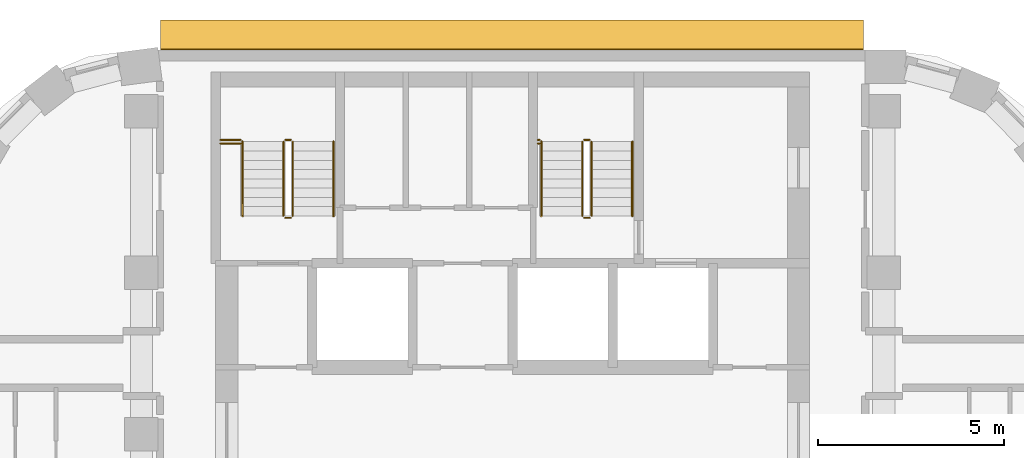
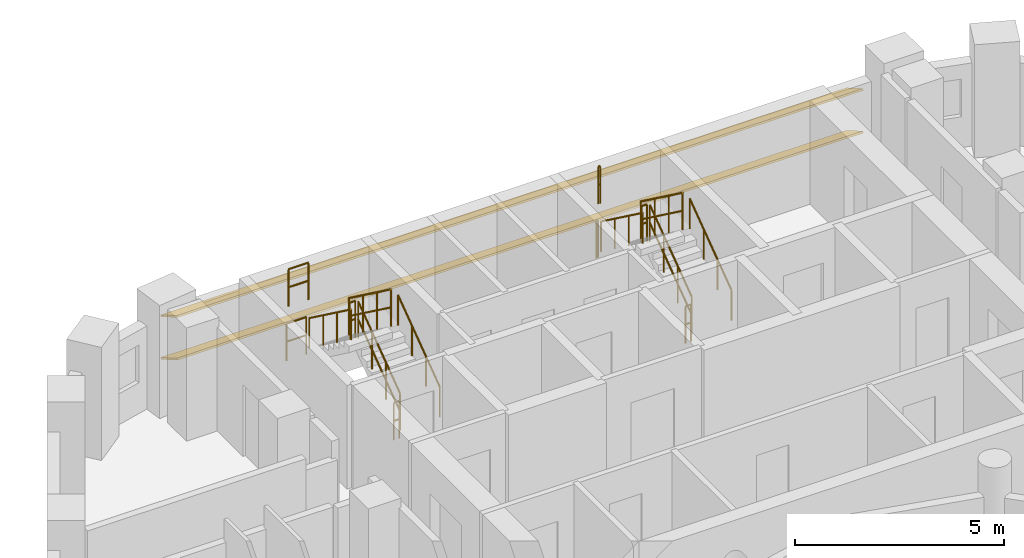
# One storey, part 15 of 16: 16 railings, 2 shading devices.
"""IFC4 building model written with IfcOpenShell, lengths in metres."""

from ifc_helpers import new_model, si_unit, direction, frame, origin, origin_2d, place, context, subcontext, project, spatial, rectangle, circle, extrude, material, material_profile, profile_set, type_object, element, save


model = new_model("IFC4")

# Units and contexts
model_context = context("Model", 3, precision=1e-05, world=origin(), true_north=direction((0.0, 1.0)))
body_context = subcontext(model_context, "Body", "Model", "MODEL_VIEW")
ifc_project = project(units=[si_unit("LENGTHUNIT", "METRE"), si_unit("AREAUNIT", "SQUARE_METRE"), si_unit("VOLUMEUNIT", "CUBIC_METRE"), si_unit("PLANEANGLEUNIT", "RADIAN"), si_unit("MASSUNIT", "GRAM", prefix="KILO")], contexts=[model_context])

# Site, building, storey
site_placement = place(None, origin())
site = spatial("IfcSite", under=ifc_project, at=site_placement, CompositionType="ELEMENT")
building_placement = place(site_placement, origin())
building = spatial("IfcBuilding", under=site, at=building_placement, Name="Nakaniwa Court", CompositionType="ELEMENT")
storey_placement = place(building_placement, frame((0.0, 0.0, 226.199951171875)))
storey = spatial("IfcBuildingStorey", under=building, at=storey_placement, Name="L58", CompositionType="ELEMENT", Elevation=226.199951171875)

# Shading devices
ifc_material_1 = material(Name="Perforated charcoal ceramic louvre blade")
ifc_material_profile = material_profile(ifc_material_1, rectangle(XDim=0.89990234375, YDim=0.050048828125, at=origin_2d()), Name="Perforated ceramic louvre blade")
ifc_profile_set = profile_set([ifc_material_profile], Name="Perforated charcoal ceramic louvre blade")
shading_device_type = type_object("IfcShadingDeviceType", Name="Perforated ceramic louvre blade", PredefinedType="JALOUSIE", material=ifc_profile_set)
for number, where, z_axis, x_axis, name in (
    (1, (89.44921875, 103.05224609375, 0.550048828125), (-1.0, 0.0, 0.0), (0.0, -0.866025403784, 0.5), "L58 perforated ceramic louvre blade w08 1"),
    (2, (89.44921875, 103.05224609375, 1.79345703125), (-1.0, 0.0, 0.0), (0.0, -0.866025403784, 0.5), "L58 perforated ceramic louvre blade w08 2"),
):
    element("IfcShadingDevice", number, at=place(storey_placement, frame(where, z_axis=z_axis, x_axis=x_axis)), inside=storey, type_object=shading_device_type, Name=name, PredefinedType="JALOUSIE", context=body_context, shape_type="SweptSolid", body=[
        extrude(rectangle(XDim=0.89990234375, YDim=0.050048828125, at=origin_2d()), origin(), (0.0, 0.0, 1.0), 18.933349609375),
    ])

# Railings
ifc_material_2 = material(Name="Black powder coated steel guard", Category="steel")
railing_type_1 = type_object("IfcRailingType", Name="Stair guard 1100", PredefinedType="GUARDRAIL", material=ifc_material_2)
railing_1_placement = place(storey_placement, frame((74.074951171875, 98.175048828125, 0.183349609375)))
element("IfcRailing", 3, at=railing_1_placement, inside=storey, type_object=railing_type_1, Name="L58 ST1 stair guard 1", PredefinedType="GUARDRAIL", context=body_context, shape_type="SweptSolid", body=[
    extrude(circle(Radius=0.02392578125, at=origin_2d()), frame((0.0, 0.0, 1.076171875), z_axis=(0.0, 0.806379959628, 0.591397802423), x_axis=(-1.0, 0.0, 0.0)), (0.0, 0.0, 1.0), 2.480224609375),
    extrude(circle(Radius=0.02392578125, at=origin_2d()), frame((0.0, 0.0, 0.550048828125), z_axis=(0.0, 0.806379959628, 0.591397802423), x_axis=(-1.0, 0.0, 0.0)), (0.0, 0.0, 1.0), 2.480224609375),
    extrude(circle(Radius=0.02099609375, at=origin_2d()), origin(), (0.0, 0.0, 1.0), 1.052001953125),
    extrude(circle(Radius=0.02099609375, at=origin_2d()), frame((0.0, 0.666748046875, 0.489013671875)), (0.0, 0.0, 1.0), 1.052001953125),
    extrude(circle(Radius=0.02099609375, at=origin_2d()), frame((0.0, 1.333251953125, 0.977783203125)), (0.0, 0.0, 1.0), 1.052001953125),
    extrude(circle(Radius=0.02099609375, at=origin_2d()), frame((0.0, 2.0, 1.466796875)), (0.0, 0.0, 1.0), 1.052001953125),
])
railing_2_placement = place(storey_placement, frame((74.02490234375, 100.22509765625, 1.650146484375)))
element("IfcRailing", 4, at=railing_2_placement, inside=storey, type_object=railing_type_1, Name="L58 ST1 stair guard 2", PredefinedType="GUARDRAIL", context=body_context, shape_type="SweptSolid", body=[
    extrude(circle(Radius=0.02392578125, at=origin_2d()), frame((0.0, 0.0, 1.076171875), z_axis=(-1.0, 0.0, 0.0), x_axis=(0.0, -1.0, 0.0)), (0.0, 0.0, 1.0), 0.14990234375),
    extrude(circle(Radius=0.02392578125, at=origin_2d()), frame((0.0, 0.0, 0.550048828125), z_axis=(-1.0, 0.0, 0.0), x_axis=(0.0, -1.0, 0.0)), (0.0, 0.0, 1.0), 0.14990234375),
    extrude(circle(Radius=0.02099609375, at=origin_2d()), origin(), (0.0, 0.0, 1.0), 1.052001953125),
    extrude(circle(Radius=0.02099609375, at=origin_2d()), frame((-0.14990234375, 0.0, 0.0)), (0.0, 0.0, 1.0), 1.052001953125),
])
railing_3_placement = place(storey_placement, frame((73.824951171875, 100.175048828125, 1.83349609375)))
element("IfcRailing", 5, at=railing_3_placement, inside=storey, type_object=railing_type_1, Name="L58 ST1 stair guard 3", PredefinedType="GUARDRAIL", context=body_context, shape_type="SweptSolid", body=[
    extrude(circle(Radius=0.02392578125, at=origin_2d()), frame((0.0, 0.0, 1.076171875), z_axis=(0.0, -0.806426902644, 0.591333789573), x_axis=(1.0, 0.0, 0.0)), (0.0, 0.0, 1.0), 2.47998046875),
    extrude(circle(Radius=0.02392578125, at=origin_2d()), frame((0.0, 0.0, 0.550048828125), z_axis=(0.0, -0.806426902644, 0.591333789573), x_axis=(1.0, 0.0, 0.0)), (0.0, 0.0, 1.0), 2.47998046875),
    extrude(circle(Radius=0.02099609375, at=origin_2d()), origin(), (0.0, 0.0, 1.0), 1.052001953125),
    extrude(circle(Radius=0.02099609375, at=origin_2d()), frame((0.0, -0.666748046875, 0.48876953125)), (0.0, 0.0, 1.0), 1.052001953125),
    extrude(circle(Radius=0.02099609375, at=origin_2d()), frame((0.0, -1.333251953125, 0.977783203125)), (0.0, 0.0, 1.0), 1.052001953125),
    extrude(circle(Radius=0.02099609375, at=origin_2d()), frame((0.0, -2.0, 1.466552734375)), (0.0, 0.0, 1.0), 1.052001953125),
])
railing_4_placement = place(storey_placement, frame((74.02490234375, 98.125, 0.0)))
element("IfcRailing", 6, at=railing_4_placement, inside=storey, type_object=railing_type_1, Name="L58 ST1 stair guard 4", PredefinedType="GUARDRAIL", context=body_context, shape_type="SweptSolid", body=[
    extrude(circle(Radius=0.02392578125, at=origin_2d()), frame((0.0, 0.0, 1.076171875), z_axis=(-1.0, 0.0, 0.0), x_axis=(0.0, -1.0, 0.0)), (0.0, 0.0, 1.0), 0.14990234375),
    extrude(circle(Radius=0.02392578125, at=origin_2d()), frame((0.0, 0.0, 0.550048828125), z_axis=(-1.0, 0.0, 0.0), x_axis=(0.0, -1.0, 0.0)), (0.0, 0.0, 1.0), 0.14990234375),
    extrude(circle(Radius=0.02099609375, at=origin_2d()), origin(), (0.0, 0.0, 1.0), 1.052001953125),
    extrude(circle(Radius=0.02099609375, at=origin_2d()), frame((-0.14990234375, 0.0, 0.0)), (0.0, 0.0, 1.0), 1.052001953125),
])
for number, where, name in (
    (7, (72.125, 100.22509765625, 1.650146484375), "L58 ST1 landing side guard 1W"),
    (8, (72.125, 100.125, 3.300048828125), "L58 ST1 floor edge guard 1W"),
):
    element("IfcRailing", number, at=place(storey_placement, frame(where)), inside=storey, type_object=railing_type_1, Name=name, PredefinedType="GUARDRAIL", context=body_context, shape_type="SweptSolid", body=[
        extrude(circle(Radius=0.02392578125, at=origin_2d()), frame((0.0, 0.0, 1.076171875), z_axis=(1.0, 0.0, 0.0), x_axis=(0.0, 1.0, 0.0)), (0.0, 0.0, 1.0), 0.550048828125),
        extrude(circle(Radius=0.02392578125, at=origin_2d()), frame((0.0, 0.0, 0.550048828125), z_axis=(1.0, 0.0, 0.0), x_axis=(0.0, 1.0, 0.0)), (0.0, 0.0, 1.0), 0.550048828125),
        extrude(circle(Radius=0.02099609375, at=origin_2d()), origin(), (0.0, 0.0, 1.0), 1.052001953125),
        extrude(circle(Radius=0.02099609375, at=origin_2d()), frame((0.550048828125, 0.0, 0.0)), (0.0, 0.0, 1.0), 1.052001953125),
    ])
railing_5_placement = place(storey_placement, frame((82.125, 98.175048828125, 0.183349609375)))
element("IfcRailing", 9, at=railing_5_placement, inside=storey, type_object=railing_type_1, Name="L58 ST2 stair guard 1", PredefinedType="GUARDRAIL", context=body_context, shape_type="SweptSolid", body=[
    extrude(circle(Radius=0.02392578125, at=origin_2d()), frame((0.0, 0.0, 1.076171875), z_axis=(0.0, 0.806379959628, 0.591397802423), x_axis=(-1.0, 0.0, 0.0)), (0.0, 0.0, 1.0), 2.480224609375),
    extrude(circle(Radius=0.02392578125, at=origin_2d()), frame((0.0, 0.0, 0.550048828125), z_axis=(0.0, 0.806379959628, 0.591397802423), x_axis=(-1.0, 0.0, 0.0)), (0.0, 0.0, 1.0), 2.480224609375),
    extrude(circle(Radius=0.02099609375, at=origin_2d()), origin(), (0.0, 0.0, 1.0), 1.052001953125),
    extrude(circle(Radius=0.02099609375, at=origin_2d()), frame((0.0, 0.666748046875, 0.489013671875)), (0.0, 0.0, 1.0), 1.052001953125),
    extrude(circle(Radius=0.02099609375, at=origin_2d()), frame((0.0, 1.333251953125, 0.977783203125)), (0.0, 0.0, 1.0), 1.052001953125),
    extrude(circle(Radius=0.02099609375, at=origin_2d()), frame((0.0, 2.0, 1.466796875)), (0.0, 0.0, 1.0), 1.052001953125),
])
railing_6_placement = place(storey_placement, frame((82.074951171875, 100.22509765625, 1.650146484375)))
element("IfcRailing", 10, at=railing_6_placement, inside=storey, type_object=railing_type_1, Name="L58 ST2 stair guard 2", PredefinedType="GUARDRAIL", context=body_context, shape_type="SweptSolid", body=[
    extrude(circle(Radius=0.02392578125, at=origin_2d()), frame((0.0, 0.0, 1.076171875), z_axis=(-1.0, 0.0, 0.0), x_axis=(0.0, -1.0, 0.0)), (0.0, 0.0, 1.0), 0.14990234375),
    extrude(circle(Radius=0.02392578125, at=origin_2d()), frame((0.0, 0.0, 0.550048828125), z_axis=(-1.0, 0.0, 0.0), x_axis=(0.0, -1.0, 0.0)), (0.0, 0.0, 1.0), 0.14990234375),
    extrude(circle(Radius=0.02099609375, at=origin_2d()), origin(), (0.0, 0.0, 1.0), 1.052001953125),
    extrude(circle(Radius=0.02099609375, at=origin_2d()), frame((-0.14990234375, 0.0, 0.0)), (0.0, 0.0, 1.0), 1.052001953125),
])
railing_7_placement = place(storey_placement, frame((81.875, 100.175048828125, 1.83349609375)))
element("IfcRailing", 11, at=railing_7_placement, inside=storey, type_object=railing_type_1, Name="L58 ST2 stair guard 3", PredefinedType="GUARDRAIL", context=body_context, shape_type="SweptSolid", body=[
    extrude(circle(Radius=0.02392578125, at=origin_2d()), frame((0.0, 0.0, 1.076171875), z_axis=(0.0, -0.806426902644, 0.591333789573), x_axis=(1.0, 0.0, 0.0)), (0.0, 0.0, 1.0), 2.47998046875),
    extrude(circle(Radius=0.02392578125, at=origin_2d()), frame((0.0, 0.0, 0.550048828125), z_axis=(0.0, -0.806426902644, 0.591333789573), x_axis=(1.0, 0.0, 0.0)), (0.0, 0.0, 1.0), 2.47998046875),
    extrude(circle(Radius=0.02099609375, at=origin_2d()), origin(), (0.0, 0.0, 1.0), 1.052001953125),
    extrude(circle(Radius=0.02099609375, at=origin_2d()), frame((0.0, -0.666748046875, 0.48876953125)), (0.0, 0.0, 1.0), 1.052001953125),
    extrude(circle(Radius=0.02099609375, at=origin_2d()), frame((0.0, -1.333251953125, 0.977783203125)), (0.0, 0.0, 1.0), 1.052001953125),
    extrude(circle(Radius=0.02099609375, at=origin_2d()), frame((0.0, -2.0, 1.466552734375)), (0.0, 0.0, 1.0), 1.052001953125),
])
railing_8_placement = place(storey_placement, frame((82.074951171875, 98.125, 0.0)))
element("IfcRailing", 12, at=railing_8_placement, inside=storey, type_object=railing_type_1, Name="L58 ST2 stair guard 4", PredefinedType="GUARDRAIL", context=body_context, shape_type="SweptSolid", body=[
    extrude(circle(Radius=0.02392578125, at=origin_2d()), frame((0.0, 0.0, 1.076171875), z_axis=(-1.0, 0.0, 0.0), x_axis=(0.0, -1.0, 0.0)), (0.0, 0.0, 1.0), 0.14990234375),
    extrude(circle(Radius=0.02392578125, at=origin_2d()), frame((0.0, 0.0, 0.550048828125), z_axis=(-1.0, 0.0, 0.0), x_axis=(0.0, -1.0, 0.0)), (0.0, 0.0, 1.0), 0.14990234375),
    extrude(circle(Radius=0.02099609375, at=origin_2d()), origin(), (0.0, 0.0, 1.0), 1.052001953125),
    extrude(circle(Radius=0.02099609375, at=origin_2d()), frame((-0.14990234375, 0.0, 0.0)), (0.0, 0.0, 1.0), 1.052001953125),
])
for number, where, name in (
    (13, (80.675048828125, 100.22509765625, 1.650146484375), "L58 ST2 landing side guard 1W"),
    (14, (80.675048828125, 100.125, 3.300048828125), "L58 ST2 floor edge guard 1W"),
):
    element("IfcRailing", number, at=place(storey_placement, frame(where)), inside=storey, type_object=railing_type_1, Name=name, PredefinedType="GUARDRAIL", context=body_context, shape_type="SweptSolid", body=[
        extrude(circle(Radius=0.02392578125, at=origin_2d()), frame((0.0, 0.0, 1.076171875), z_axis=(1.0, 0.0, 0.0), x_axis=(0.0, 1.0, 0.0)), (0.0, 0.0, 1.0), 0.050048828125),
        extrude(circle(Radius=0.02392578125, at=origin_2d()), frame((0.0, 0.0, 0.550048828125), z_axis=(1.0, 0.0, 0.0), x_axis=(0.0, 1.0, 0.0)), (0.0, 0.0, 1.0), 0.050048828125),
        extrude(circle(Radius=0.02099609375, at=origin_2d()), origin(), (0.0, 0.0, 1.0), 1.052001953125),
        extrude(circle(Radius=0.02099609375, at=origin_2d()), frame((0.050048828125, 0.0, 0.0)), (0.0, 0.0, 1.0), 1.052001953125),
    ])
ifc_material_3 = material(Name="Black powder coated steel handrail", Category="steel")
railing_type_2 = type_object("IfcRailingType", Name="Stair handrail 900", PredefinedType="HANDRAIL", material=ifc_material_3)
railing_9_placement = place(storey_placement, frame((75.175048828125, 98.175048828125, 0.183349609375)))
element("IfcRailing", 15, at=railing_9_placement, inside=storey, type_object=railing_type_2, Name="L58 ST1 stair handrail 1", PredefinedType="HANDRAIL", context=body_context, shape_type="SweptSolid", body=[
    extrude(circle(Radius=0.02392578125, at=origin_2d()), frame((0.0, 0.0, 0.8759765625), z_axis=(0.0, 0.806379959628, 0.591397802423), x_axis=(-1.0, 0.0, 0.0)), (0.0, 0.0, 1.0), 2.480224609375),
    extrude(circle(Radius=0.02099609375, at=origin_2d()), origin(), (0.0, 0.0, 1.0), 0.851806640625),
    extrude(circle(Radius=0.02099609375, at=origin_2d()), frame((0.0, 0.666748046875, 0.489013671875)), (0.0, 0.0, 1.0), 0.851806640625),
    extrude(circle(Radius=0.02099609375, at=origin_2d()), frame((0.0, 1.333251953125, 0.977783203125)), (0.0, 0.0, 1.0), 0.851806640625),
    extrude(circle(Radius=0.02099609375, at=origin_2d()), frame((0.0, 2.0, 1.466796875)), (0.0, 0.0, 1.0), 0.851806640625),
])
railing_10_placement = place(storey_placement, frame((72.72509765625, 100.175048828125, 1.83349609375)))
element("IfcRailing", 16, at=railing_10_placement, inside=storey, type_object=railing_type_2, Name="L58 ST1 stair handrail 2", PredefinedType="HANDRAIL", context=body_context, shape_type="SweptSolid", body=[
    extrude(circle(Radius=0.02392578125, at=origin_2d()), frame((0.0, 0.0, 0.8759765625), z_axis=(0.0, -0.806426902644, 0.591333789573), x_axis=(1.0, 0.0, 0.0)), (0.0, 0.0, 1.0), 2.47998046875),
    extrude(circle(Radius=0.02099609375, at=origin_2d()), origin(), (0.0, 0.0, 1.0), 0.851806640625),
    extrude(circle(Radius=0.02099609375, at=origin_2d()), frame((0.0, -0.666748046875, 0.48876953125)), (0.0, 0.0, 1.0), 0.851806640625),
    extrude(circle(Radius=0.02099609375, at=origin_2d()), frame((0.0, -1.333251953125, 0.977783203125)), (0.0, 0.0, 1.0), 0.851806640625),
    extrude(circle(Radius=0.02099609375, at=origin_2d()), frame((0.0, -2.0, 1.466552734375)), (0.0, 0.0, 1.0), 0.851806640625),
])
railing_11_placement = place(storey_placement, frame((83.22509765625, 98.175048828125, 0.183349609375)))
element("IfcRailing", 17, at=railing_11_placement, inside=storey, type_object=railing_type_2, Name="L58 ST2 stair handrail 1", PredefinedType="HANDRAIL", context=body_context, shape_type="SweptSolid", body=[
    extrude(circle(Radius=0.02392578125, at=origin_2d()), frame((0.0, 0.0, 0.8759765625), z_axis=(0.0, 0.806379959628, 0.591397802423), x_axis=(-1.0, 0.0, 0.0)), (0.0, 0.0, 1.0), 2.480224609375),
    extrude(circle(Radius=0.02099609375, at=origin_2d()), origin(), (0.0, 0.0, 1.0), 0.851806640625),
    extrude(circle(Radius=0.02099609375, at=origin_2d()), frame((0.0, 0.666748046875, 0.489013671875)), (0.0, 0.0, 1.0), 0.851806640625),
    extrude(circle(Radius=0.02099609375, at=origin_2d()), frame((0.0, 1.333251953125, 0.977783203125)), (0.0, 0.0, 1.0), 0.851806640625),
    extrude(circle(Radius=0.02099609375, at=origin_2d()), frame((0.0, 2.0, 1.466796875)), (0.0, 0.0, 1.0), 0.851806640625),
])
railing_12_placement = place(storey_placement, frame((80.77490234375, 100.175048828125, 1.83349609375)))
element("IfcRailing", 18, at=railing_12_placement, inside=storey, type_object=railing_type_2, Name="L58 ST2 stair handrail 2", PredefinedType="HANDRAIL", context=body_context, shape_type="SweptSolid", body=[
    extrude(circle(Radius=0.02392578125, at=origin_2d()), frame((0.0, 0.0, 0.8759765625), z_axis=(0.0, -0.806426902644, 0.591333789573), x_axis=(1.0, 0.0, 0.0)), (0.0, 0.0, 1.0), 2.47998046875),
    extrude(circle(Radius=0.02099609375, at=origin_2d()), origin(), (0.0, 0.0, 1.0), 0.851806640625),
    extrude(circle(Radius=0.02099609375, at=origin_2d()), frame((0.0, -0.666748046875, 0.48876953125)), (0.0, 0.0, 1.0), 0.851806640625),
    extrude(circle(Radius=0.02099609375, at=origin_2d()), frame((0.0, -1.333251953125, 0.977783203125)), (0.0, 0.0, 1.0), 0.851806640625),
    extrude(circle(Radius=0.02099609375, at=origin_2d()), frame((0.0, -2.0, 1.466552734375)), (0.0, 0.0, 1.0), 0.851806640625),
])

save(model, "model.ifc")
